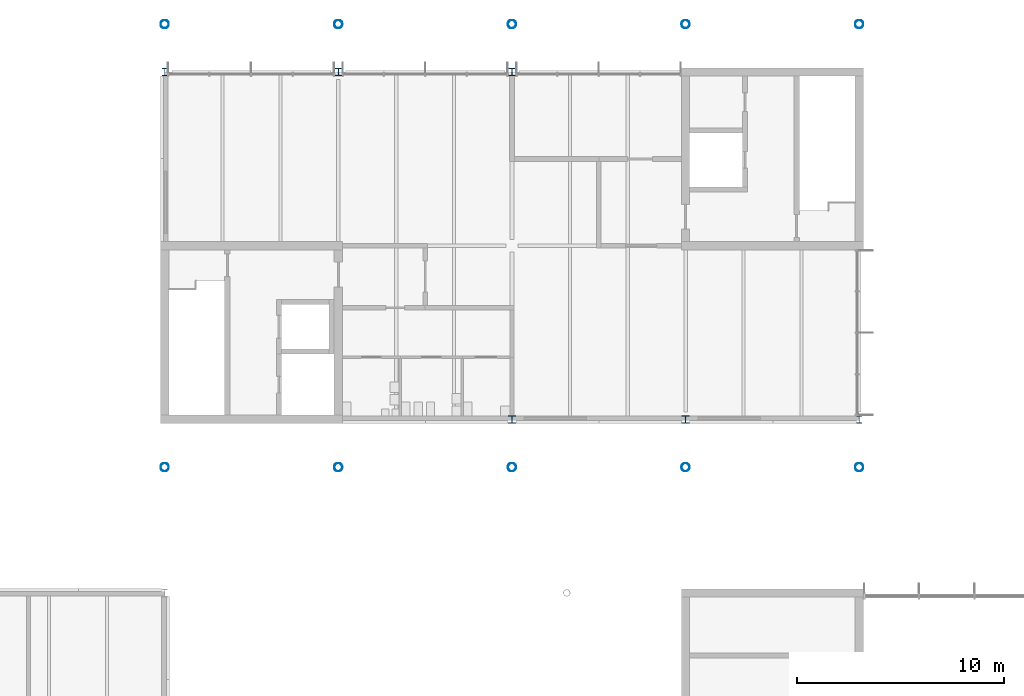
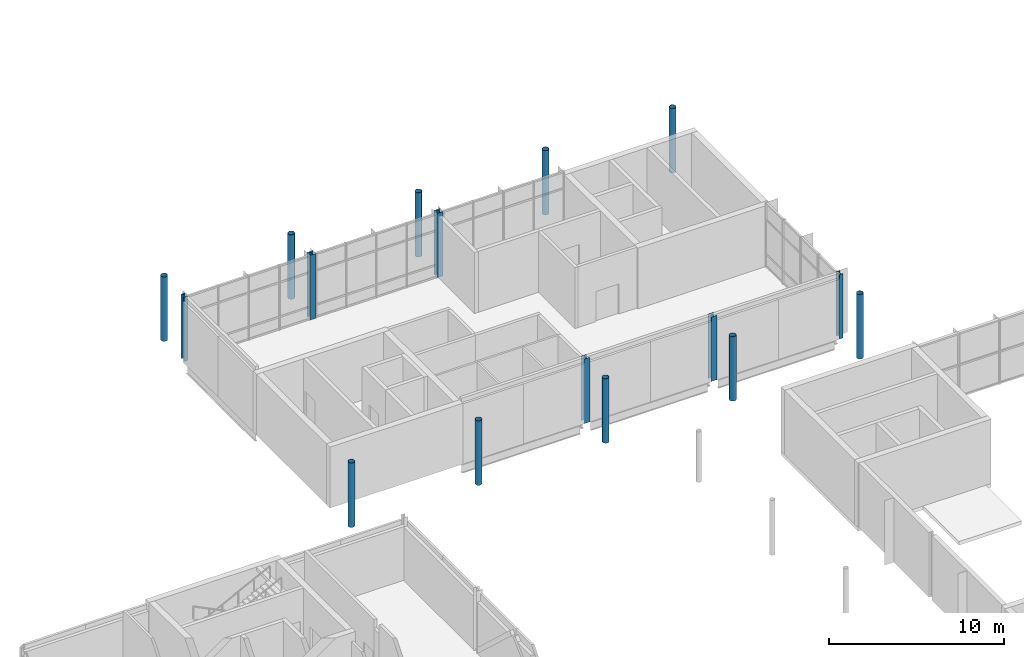
# One storey, part 8 of 89: 16 columns.
"""IFC4 building model written with IfcOpenShell, lengths in metres."""

import ifcopenshell
import ifcopenshell.guid

model = None  # the IFC model being written
_history = None  # IfcOwnerHistory: only IFC2X3 demands one
_inside = {}  # id of a spatial element -> (the spatial element, [elements in it])
_under = {}  # id of a project, library or spatial element -> (it, [spatial elements below it])
_declared = {}  # id of a project -> (the project, [libraries it declares])
_typed = {}  # id of a type object -> (the type object, [elements of that type])
_made_of = {}  # id of a material, layer set ... -> (it, [elements and type objects made of it])


def new_model(schema):
    """Start an empty IFC model of exactly this schema.

    Asked for "IFC4X3", IfcOpenShell would pick the latest addendum, in which some entities
    have other attributes; the version numbers below select the first issue.
    IFC2X3 requires an IfcOwnerHistory on every rooted entity: one is made here for all.
    """
    global model, _history
    if schema == "IFC4X3":
        model = ifcopenshell.file(schema_version=(4, 3, 0, 0))
    else:
        model = ifcopenshell.file(schema=schema)
    _inside.clear()
    _under.clear()
    _declared.clear()
    _typed.clear()
    _made_of.clear()
    _history = None
    if model.schema == "IFC2X3":
        org = make("IfcOrganization", Name="unknown")
        user = make(
            "IfcPersonAndOrganization",
            ThePerson=make("IfcPerson", FamilyName="unknown"),
            TheOrganization=org,
        )
        app = make(
            "IfcApplication",
            ApplicationDeveloper=org,
            Version="unknown",
            ApplicationFullName="unknown",
            ApplicationIdentifier="unknown",
        )
        _history = make(
            "IfcOwnerHistory",
            OwningUser=user,
            OwningApplication=app,
            ChangeAction="ADDED",
            CreationDate=0,
        )
    return model


def make(cls, **values):
    """One entity of the class cls with the attributes given. An attribute that is None is left unset."""
    return model.create_entity(
        cls, **{name: value for name, value in values.items() if value is not None}
    )


def rooted(cls, **values):
    """An entity with a GlobalId (a new one), such as an element, a storey or a relation."""
    return make(cls, GlobalId=ifcopenshell.guid.new(), OwnerHistory=_history, **values)


def si_unit(unit_type, name, prefix=None):
    """IfcSIUnit, for example si_unit("LENGTHUNIT", "METRE", prefix="MILLI")."""
    return make("IfcSIUnit", UnitType=unit_type, Prefix=prefix, Name=name)


def assignment(units):
    """IfcUnitAssignment: the units of a project."""
    return None if units is None else make("IfcUnitAssignment", Units=units)


def point(xyz):
    """IfcCartesianPoint."""
    return None if xyz is None else make("IfcCartesianPoint", Coordinates=xyz)


def direction(xyz):
    """IfcDirection."""
    return None if xyz is None else make("IfcDirection", DirectionRatios=xyz)


def frame(location, z_axis=None, x_axis=None):
    """IfcAxis2Placement3D, a coordinate frame: its origin and axes. An axis left out is left unset."""
    return make(
        "IfcAxis2Placement3D",
        Location=point(location),
        Axis=direction(z_axis),
        RefDirection=direction(x_axis),
    )


def frame_2d(location, x_axis=None):
    """IfcAxis2Placement2D, a coordinate frame in the plane: its origin and x axis."""
    return make(
        "IfcAxis2Placement2D", Location=point(location), RefDirection=direction(x_axis)
    )


def origin():
    """The frame at (0, 0, 0) with its axes left unset."""
    return frame((0.0, 0.0, 0.0))


def origin_2d():
    """The frame at (0, 0) in the plane with its x axis left unset."""
    return frame_2d((0.0, 0.0))


def place(relative_to, where):
    """IfcLocalPlacement: puts the frame where relative to a parent placement (None: the world)."""
    return make(
        "IfcLocalPlacement", PlacementRelTo=relative_to, RelativePlacement=where
    )


def context(
    kind, dimensions, precision=None, world=None, true_north=None, identifier=None
):
    """IfcGeometricRepresentationContext, for example the 3D "Model" context."""
    return make(
        "IfcGeometricRepresentationContext",
        ContextIdentifier=identifier,
        ContextType=kind,
        CoordinateSpaceDimension=dimensions,
        Precision=precision,
        WorldCoordinateSystem=world,
        TrueNorth=true_north,
    )


def subcontext(parent, identifier, kind, view, scale=None):
    """IfcGeometricRepresentationSubContext, for example "Body" below "Model"."""
    return make(
        "IfcGeometricRepresentationSubContext",
        ContextIdentifier=identifier,
        ContextType=kind,
        ParentContext=parent,
        TargetScale=scale,
        TargetView=view,
    )


def project(units=None, contexts=None):
    """IfcProject with its units and contexts."""
    return rooted(
        "IfcProject",
        Name="project",
        RepresentationContexts=contexts,
        UnitsInContext=assignment(units),
    )


def spatial(cls, under=None, at=None, **own):
    """A site, building, storey or space (cls), placed at a placement, below another one or the project."""
    s = rooted(cls, ObjectPlacement=at, **own)
    if under is not None:
        _under.setdefault(under.id(), (under, []))[1].append(s)
    return s


def profile(cls, at=None, kind="AREA", **sizes):
    """A parametric profile (cls). Its sizes go by their IFC names, for example OverallWidth=200.0."""
    return make(cls, ProfileType=kind, Position=at, **sizes)


def hollow_circle(**sizes):
    """IfcCircleHollowProfileDef."""
    return profile("IfcCircleHollowProfileDef", **sizes)


def i_section(**sizes):
    """IfcIShapeProfileDef."""
    return profile("IfcIShapeProfileDef", **sizes)


def extrude(swept, where, along, depth):
    """IfcExtrudedAreaSolid: the profile swept, set in the frame where, extruded along a direction by depth."""
    return make(
        "IfcExtrudedAreaSolid",
        SweptArea=swept,
        Position=where,
        ExtrudedDirection=direction(along),
        Depth=depth,
    )


def shape(context_of_items, identifier, shape_type, items):
    """IfcShapeRepresentation: the items that make up one representation, for example the "Body"."""
    return make(
        "IfcShapeRepresentation",
        ContextOfItems=context_of_items,
        RepresentationIdentifier=identifier,
        RepresentationType=shape_type,
        Items=items,
    )


def material(Name=None, Category=None):
    """IfcMaterial."""
    return make("IfcMaterial", Name=Name, Category=Category)


def material_profile(
    of_material, cross_section, Name=None, Category=None, Priority=None
):
    """IfcMaterialProfile: a cross section and its material."""
    return make(
        "IfcMaterialProfile",
        Name=Name,
        Material=of_material,
        Profile=cross_section,
        Priority=Priority,
        Category=Category,
    )


def profile_set(profiles, Name=None, composite=None):
    """IfcMaterialProfileSet."""
    return make(
        "IfcMaterialProfileSet",
        Name=Name,
        MaterialProfiles=profiles,
        CompositeProfile=composite,
    )


def made_of(thing, what):
    """Note that an element or type object is made of a material, layer set ...; save() writes the relation."""
    if what is not None:
        _made_of.setdefault(what.id(), (what, []))[1].append(thing)
    return thing


def type_object(cls, material=None, **own):
    """A type object (cls), such as IfcWallType, which elements share."""
    return made_of(rooted(cls, **own), material)


def element(
    cls,
    number,
    at=None,
    inside=None,
    cuts=None,
    type_object=None,
    material=None,
    context=None,
    identifier="Body",
    shape_type=None,
    held_by="IfcProductDefinitionShape",
    body=None,
    shapes=None,
    **own,
):
    """One element of the class cls, such as IfcWall. Its Tag is "e" and its number.

    at: its placement. inside: the storey or other place that contains it. cuts: it is an
    opening in that element (IfcRelVoidsElement). A single representation is given by context,
    identifier, shape_type and body (its items); several are given by shapes. held_by: the class
    of the entity that holds the representations. save() writes the other relations.
    """
    e = rooted(cls, Tag="e%d" % number, ObjectPlacement=at, **own)
    if body is not None:
        shapes = [shape(context, identifier, shape_type, body)]
    if shapes is not None:
        e.Representation = make(held_by, Representations=shapes)
    if inside is not None:
        _inside.setdefault(inside.id(), (inside, []))[1].append(e)
    if cuts is not None:
        rooted(
            "IfcRelVoidsElement", RelatingBuildingElement=cuts, RelatedOpeningElement=e
        )
    if type_object is not None:
        _typed.setdefault(type_object.id(), (type_object, []))[1].append(e)
    return made_of(e, material)


def aggregate(whole, parts):
    """IfcRelAggregates: a whole, such as a stair, and the parts it consists of."""
    return rooted("IfcRelAggregates", RelatingObject=whole, RelatedObjects=parts)


def save(model, path):
    """Write the relations noted so far, then the file.

    IfcRelAggregates (storeys below a building ...), IfcRelContainedInSpatialStructure (elements
    in a storey), IfcRelDefinesByType, IfcRelAssociatesMaterial and IfcRelDeclares: one each for
    every whole, place, type object, material and project.
    """
    for whole, parts in _under.values():
        aggregate(whole, parts)
    for where, things in _inside.values():
        rooted(
            "IfcRelContainedInSpatialStructure",
            RelatedElements=things,
            RelatingStructure=where,
        )
    for kind, things in _typed.values():
        rooted("IfcRelDefinesByType", RelatedObjects=things, RelatingType=kind)
    for what, things in _made_of.values():
        rooted("IfcRelAssociatesMaterial", RelatedObjects=things, RelatingMaterial=what)
    for by, libraries in _declared.values():
        rooted("IfcRelDeclares", RelatingContext=by, RelatedDefinitions=libraries)
    model.write(path)


model = new_model("IFC4")

# Units and contexts
model_context = context("Model", 3, precision=1e-05, world=origin(), true_north=direction((0.0, 1.0)))
body_context = subcontext(model_context, "Body", "Model", "MODEL_VIEW")
ifc_project = project(units=[si_unit("LENGTHUNIT", "METRE"), si_unit("AREAUNIT", "SQUARE_METRE"), si_unit("VOLUMEUNIT", "CUBIC_METRE"), si_unit("PLANEANGLEUNIT", "RADIAN"), si_unit("MASSUNIT", "GRAM", prefix="KILO")], contexts=[model_context])

# Site, building, storey
site_placement = place(None, origin())
site = spatial("IfcSite", under=ifc_project, at=site_placement, CompositionType="ELEMENT")
building_placement = place(site_placement, origin())
building = spatial("IfcBuilding", under=site, at=building_placement, Name="Hlaing Beacon Police Headquarters", CompositionType="ELEMENT")
storey_placement = place(building_placement, frame((0.0, 0.0, 9.89990234375)))
storey = spatial("IfcBuildingStorey", under=building, at=storey_placement, Name="L02", CompositionType="ELEMENT", Elevation=9.89990234375)

# Columns
ifc_material_1 = material(Name="Steel ASTM A500 Grade C", Category="steel")
ifc_material_profile_1 = material_profile(ifc_material_1, hollow_circle(Radius=0.203125, WallThickness=0.0126953125, at=origin_2d()), Name="HSS16.000x0.500")
ifc_profile_set_1 = profile_set([ifc_material_profile_1], Name="Steel ASTM A500 Grade C")
column_type_1 = type_object("IfcColumnType", Name="Eave edge post HSS16.000x0.500", PredefinedType="COLUMN", material=ifc_profile_set_1)
for number, where, z_axis, x_axis, name in (
    (1, (33.60009765625, 94.71728515625, 0.0), (0.0, 0.0, 1.0), (1.0, 0.0, 0.0), "STR-RT-V2-EEP-N0336-L02"),
    (2, (42.0, 94.71728515625, 0.0), (0.0, 0.0, 1.0), (1.0, 0.0, 0.0), "STR-RT-V2-EEP-N0420-L02"),
    (3, (50.39990234375, 94.71728515625, 0.0), (0.0, 0.0, 1.0), (1.0, 0.0, 0.0), "STR-RT-V2-EEP-N0504-L02"),
    (4, (58.800048828125, 94.71728515625, 0.0), (0.0, 0.0, 1.0), (1.0, 0.0, 0.0), "STR-RT-V2-EEP-N0588-L02"),
    (5, (67.199951171875, 94.71728515625, 0.0), (0.0, 0.0, 1.0), (1.0, 0.0, 0.0), "STR-RT-V2-EEP-N0672-L02"),
    (6, (33.60009765625, 73.28271484375, 0.0), (0.0, 0.0, 1.0), (1.0, 0.0, 0.0), "STR-RT-V2-EEP-S0336-L02"),
    (7, (42.0, 73.28271484375, 0.0), (0.0, 0.0, 1.0), (1.0, 0.0, 0.0), "STR-RT-V2-EEP-S0420-L02"),
    (8, (50.39990234375, 73.28271484375, 0.0), (0.0, 0.0, 1.0), (1.0, 0.0, 0.0), "STR-RT-V2-EEP-S0504-L02"),
    (9, (58.800048828125, 73.28271484375, 0.0), (0.0, 0.0, 1.0), (1.0, 0.0, 0.0), "STR-RT-V2-EEP-S0588-L02"),
    (10, (67.199951171875, 73.28271484375, 0.0), (0.0, 0.0, 1.0), (1.0, 0.0, 0.0), "STR-RT-V2-EEP-S0672-L02"),
):
    element("IfcColumn", number, at=place(storey_placement, frame(where, z_axis=z_axis, x_axis=x_axis)), inside=storey, type_object=column_type_1, Name=name, PredefinedType="COLUMN", context=body_context, shape_type="SweptSolid", body=[
        extrude(hollow_circle(Radius=0.203125, WallThickness=0.0126953125, at=origin_2d()), origin(), (0.0, 0.0, 1.0), 4.5),
    ])
ifc_material_2 = material(Name="Steel ASTM A992 Grade 50", Category="steel")
ifc_material_profile_2 = material_profile(ifc_material_2, i_section(OverallWidth=0.256591796875, OverallDepth=0.36328125, WebThickness=0.012939453125, FlangeThickness=0.021728515625, FilletRadius=0.01513671875, at=origin_2d()), Name="W14x82")
ifc_profile_set_2 = profile_set([ifc_material_profile_2], Name="Steel ASTM A992 Grade 50")
column_type_2 = type_object("IfcColumnType", Name="Steel column W14x82", PredefinedType="COLUMN", material=ifc_profile_set_2)
for number, where, z_axis, x_axis, name in (
    (11, (33.60009765625, 92.39990234375, 0.0), (0.0, 0.0, 1.0), (1.0, 0.0, 0.0), "STR-COL-L02-E12"),
    (12, (67.199951171875, 75.60009765625, 0.0), (0.0, 0.0, 1.0), (1.0, 0.0, 0.0), "STR-COL-L02-J10"),
):
    element("IfcColumn", number, at=place(storey_placement, frame(where, z_axis=z_axis, x_axis=x_axis)), inside=storey, type_object=column_type_2, Name=name, PredefinedType="COLUMN", context=body_context, shape_type="SweptSolid", body=[
        extrude(i_section(OverallWidth=0.256591796875, OverallDepth=0.36328125, WebThickness=0.012939453125, FlangeThickness=0.021728515625, FilletRadius=0.01513671875, at=origin_2d()), origin(), (0.0, 0.0, 1.0), 4.5),
    ])
ifc_material_3 = material(Name="Steel ASTM A992 Grade 50", Category="steel")
ifc_material_profile_3 = material_profile(ifc_material_3, i_section(OverallWidth=0.370849609375, OverallDepth=0.360595703125, WebThickness=0.01220703125, FlangeThickness=0.019775390625, FilletRadius=0.01513671875, at=origin_2d()), Name="W14x99")
ifc_profile_set_3 = profile_set([ifc_material_profile_3], Name="Steel ASTM A992 Grade 50")
column_type_3 = type_object("IfcColumnType", Name="Steel column W14x99", PredefinedType="COLUMN", material=ifc_profile_set_3)
for number, where, z_axis, x_axis, name in (
    (13, (42.0, 92.39990234375, 0.0), (0.0, 0.0, 1.0), (1.0, 0.0, 0.0), "STR-COL-L02-F12"),
    (14, (50.39990234375, 75.60009765625, 0.0), (0.0, 0.0, 1.0), (1.0, 0.0, 0.0), "STR-COL-L02-G10"),
    (15, (50.39990234375, 92.39990234375, 0.0), (0.0, 0.0, 1.0), (1.0, 0.0, 0.0), "STR-COL-L02-G12"),
    (16, (58.800048828125, 75.60009765625, 0.0), (0.0, 0.0, 1.0), (1.0, 0.0, 0.0), "STR-COL-L02-H10"),
):
    element("IfcColumn", number, at=place(storey_placement, frame(where, z_axis=z_axis, x_axis=x_axis)), inside=storey, type_object=column_type_3, Name=name, PredefinedType="COLUMN", context=body_context, shape_type="SweptSolid", body=[
        extrude(i_section(OverallWidth=0.370849609375, OverallDepth=0.360595703125, WebThickness=0.01220703125, FlangeThickness=0.019775390625, FilletRadius=0.01513671875, at=origin_2d()), origin(), (0.0, 0.0, 1.0), 4.5),
    ])

save(model, "model.ifc")
